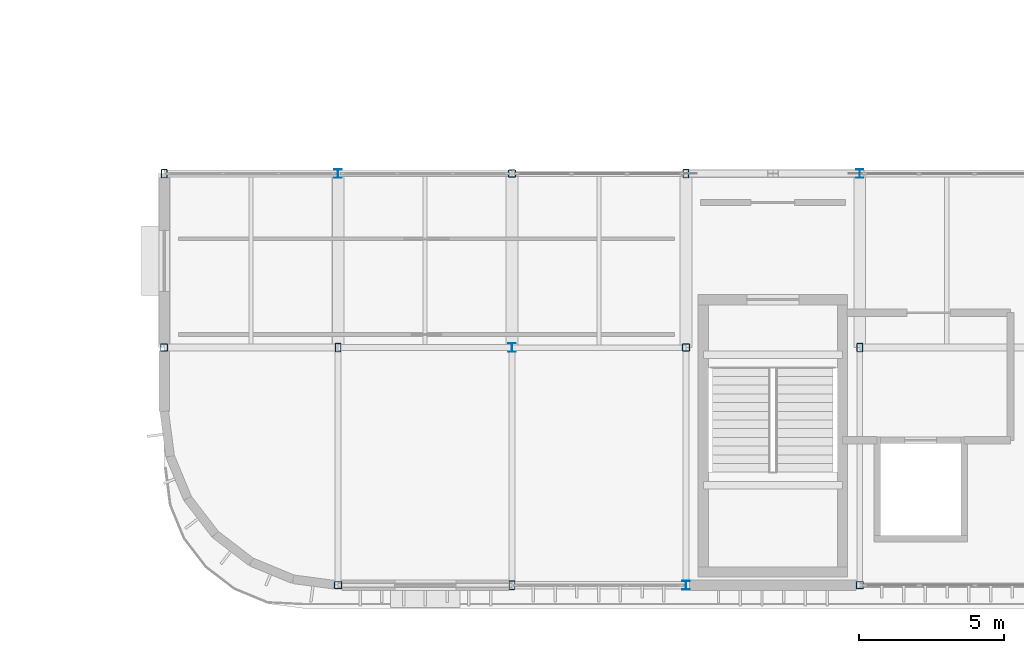
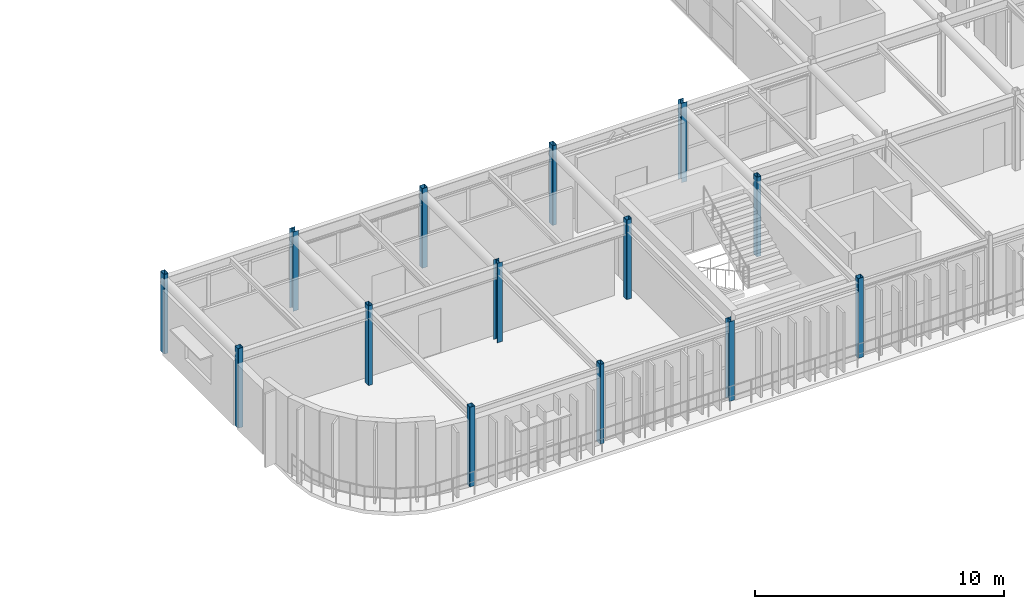
# One storey, part 1 of 27: 14 columns.
"""IFC4 building model written with IfcOpenShell, lengths in metres."""

import ifcopenshell
import ifcopenshell.guid

model = None  # the IFC model being written
_history = None  # IfcOwnerHistory: only IFC2X3 demands one
_inside = {}  # id of a spatial element -> (the spatial element, [elements in it])
_under = {}  # id of a project, library or spatial element -> (it, [spatial elements below it])
_declared = {}  # id of a project -> (the project, [libraries it declares])
_typed = {}  # id of a type object -> (the type object, [elements of that type])
_made_of = {}  # id of a material, layer set ... -> (it, [elements and type objects made of it])


def new_model(schema):
    """Start an empty IFC model of exactly this schema.

    Asked for "IFC4X3", IfcOpenShell would pick the latest addendum, in which some entities
    have other attributes; the version numbers below select the first issue.
    IFC2X3 requires an IfcOwnerHistory on every rooted entity: one is made here for all.
    """
    global model, _history
    if schema == "IFC4X3":
        model = ifcopenshell.file(schema_version=(4, 3, 0, 0))
    else:
        model = ifcopenshell.file(schema=schema)
    _inside.clear()
    _under.clear()
    _declared.clear()
    _typed.clear()
    _made_of.clear()
    _history = None
    if model.schema == "IFC2X3":
        org = make("IfcOrganization", Name="unknown")
        user = make(
            "IfcPersonAndOrganization",
            ThePerson=make("IfcPerson", FamilyName="unknown"),
            TheOrganization=org,
        )
        app = make(
            "IfcApplication",
            ApplicationDeveloper=org,
            Version="unknown",
            ApplicationFullName="unknown",
            ApplicationIdentifier="unknown",
        )
        _history = make(
            "IfcOwnerHistory",
            OwningUser=user,
            OwningApplication=app,
            ChangeAction="ADDED",
            CreationDate=0,
        )
    return model


def make(cls, **values):
    """One entity of the class cls with the attributes given. An attribute that is None is left unset."""
    return model.create_entity(
        cls, **{name: value for name, value in values.items() if value is not None}
    )


def rooted(cls, **values):
    """An entity with a GlobalId (a new one), such as an element, a storey or a relation."""
    return make(cls, GlobalId=ifcopenshell.guid.new(), OwnerHistory=_history, **values)


def si_unit(unit_type, name, prefix=None):
    """IfcSIUnit, for example si_unit("LENGTHUNIT", "METRE", prefix="MILLI")."""
    return make("IfcSIUnit", UnitType=unit_type, Prefix=prefix, Name=name)


def assignment(units):
    """IfcUnitAssignment: the units of a project."""
    return None if units is None else make("IfcUnitAssignment", Units=units)


def point(xyz):
    """IfcCartesianPoint."""
    return None if xyz is None else make("IfcCartesianPoint", Coordinates=xyz)


def direction(xyz):
    """IfcDirection."""
    return None if xyz is None else make("IfcDirection", DirectionRatios=xyz)


def frame(location, z_axis=None, x_axis=None):
    """IfcAxis2Placement3D, a coordinate frame: its origin and axes. An axis left out is left unset."""
    return make(
        "IfcAxis2Placement3D",
        Location=point(location),
        Axis=direction(z_axis),
        RefDirection=direction(x_axis),
    )


def frame_2d(location, x_axis=None):
    """IfcAxis2Placement2D, a coordinate frame in the plane: its origin and x axis."""
    return make(
        "IfcAxis2Placement2D", Location=point(location), RefDirection=direction(x_axis)
    )


def origin():
    """The frame at (0, 0, 0) with its axes left unset."""
    return frame((0.0, 0.0, 0.0))


def origin_2d():
    """The frame at (0, 0) in the plane with its x axis left unset."""
    return frame_2d((0.0, 0.0))


def place(relative_to, where):
    """IfcLocalPlacement: puts the frame where relative to a parent placement (None: the world)."""
    return make(
        "IfcLocalPlacement", PlacementRelTo=relative_to, RelativePlacement=where
    )


def context(
    kind, dimensions, precision=None, world=None, true_north=None, identifier=None
):
    """IfcGeometricRepresentationContext, for example the 3D "Model" context."""
    return make(
        "IfcGeometricRepresentationContext",
        ContextIdentifier=identifier,
        ContextType=kind,
        CoordinateSpaceDimension=dimensions,
        Precision=precision,
        WorldCoordinateSystem=world,
        TrueNorth=true_north,
    )


def subcontext(parent, identifier, kind, view, scale=None):
    """IfcGeometricRepresentationSubContext, for example "Body" below "Model"."""
    return make(
        "IfcGeometricRepresentationSubContext",
        ContextIdentifier=identifier,
        ContextType=kind,
        ParentContext=parent,
        TargetScale=scale,
        TargetView=view,
    )


def project(units=None, contexts=None):
    """IfcProject with its units and contexts."""
    return rooted(
        "IfcProject",
        Name="project",
        RepresentationContexts=contexts,
        UnitsInContext=assignment(units),
    )


def spatial(cls, under=None, at=None, **own):
    """A site, building, storey or space (cls), placed at a placement, below another one or the project."""
    s = rooted(cls, ObjectPlacement=at, **own)
    if under is not None:
        _under.setdefault(under.id(), (under, []))[1].append(s)
    return s


def profile(cls, at=None, kind="AREA", **sizes):
    """A parametric profile (cls). Its sizes go by their IFC names, for example OverallWidth=200.0."""
    return make(cls, ProfileType=kind, Position=at, **sizes)


def hollow_rectangle(**sizes):
    """IfcRectangleHollowProfileDef."""
    return profile("IfcRectangleHollowProfileDef", **sizes)


def i_section(**sizes):
    """IfcIShapeProfileDef."""
    return profile("IfcIShapeProfileDef", **sizes)


def extrude(swept, where, along, depth):
    """IfcExtrudedAreaSolid: the profile swept, set in the frame where, extruded along a direction by depth."""
    return make(
        "IfcExtrudedAreaSolid",
        SweptArea=swept,
        Position=where,
        ExtrudedDirection=direction(along),
        Depth=depth,
    )


def shape(context_of_items, identifier, shape_type, items):
    """IfcShapeRepresentation: the items that make up one representation, for example the "Body"."""
    return make(
        "IfcShapeRepresentation",
        ContextOfItems=context_of_items,
        RepresentationIdentifier=identifier,
        RepresentationType=shape_type,
        Items=items,
    )


def material(Name=None, Category=None):
    """IfcMaterial."""
    return make("IfcMaterial", Name=Name, Category=Category)


def material_profile(
    of_material, cross_section, Name=None, Category=None, Priority=None
):
    """IfcMaterialProfile: a cross section and its material."""
    return make(
        "IfcMaterialProfile",
        Name=Name,
        Material=of_material,
        Profile=cross_section,
        Priority=Priority,
        Category=Category,
    )


def profile_set(profiles, Name=None, composite=None):
    """IfcMaterialProfileSet."""
    return make(
        "IfcMaterialProfileSet",
        Name=Name,
        MaterialProfiles=profiles,
        CompositeProfile=composite,
    )


def made_of(thing, what):
    """Note that an element or type object is made of a material, layer set ...; save() writes the relation."""
    if what is not None:
        _made_of.setdefault(what.id(), (what, []))[1].append(thing)
    return thing


def type_object(cls, material=None, **own):
    """A type object (cls), such as IfcWallType, which elements share."""
    return made_of(rooted(cls, **own), material)


def element(
    cls,
    number,
    at=None,
    inside=None,
    cuts=None,
    type_object=None,
    material=None,
    context=None,
    identifier="Body",
    shape_type=None,
    held_by="IfcProductDefinitionShape",
    body=None,
    shapes=None,
    **own,
):
    """One element of the class cls, such as IfcWall. Its Tag is "e" and its number.

    at: its placement. inside: the storey or other place that contains it. cuts: it is an
    opening in that element (IfcRelVoidsElement). A single representation is given by context,
    identifier, shape_type and body (its items); several are given by shapes. held_by: the class
    of the entity that holds the representations. save() writes the other relations.
    """
    e = rooted(cls, Tag="e%d" % number, ObjectPlacement=at, **own)
    if body is not None:
        shapes = [shape(context, identifier, shape_type, body)]
    if shapes is not None:
        e.Representation = make(held_by, Representations=shapes)
    if inside is not None:
        _inside.setdefault(inside.id(), (inside, []))[1].append(e)
    if cuts is not None:
        rooted(
            "IfcRelVoidsElement", RelatingBuildingElement=cuts, RelatedOpeningElement=e
        )
    if type_object is not None:
        _typed.setdefault(type_object.id(), (type_object, []))[1].append(e)
    return made_of(e, material)


def aggregate(whole, parts):
    """IfcRelAggregates: a whole, such as a stair, and the parts it consists of."""
    return rooted("IfcRelAggregates", RelatingObject=whole, RelatedObjects=parts)


def save(model, path):
    """Write the relations noted so far, then the file.

    IfcRelAggregates (storeys below a building ...), IfcRelContainedInSpatialStructure (elements
    in a storey), IfcRelDefinesByType, IfcRelAssociatesMaterial and IfcRelDeclares: one each for
    every whole, place, type object, material and project.
    """
    for whole, parts in _under.values():
        aggregate(whole, parts)
    for where, things in _inside.values():
        rooted(
            "IfcRelContainedInSpatialStructure",
            RelatedElements=things,
            RelatingStructure=where,
        )
    for kind, things in _typed.values():
        rooted("IfcRelDefinesByType", RelatedObjects=things, RelatingType=kind)
    for what, things in _made_of.values():
        rooted("IfcRelAssociatesMaterial", RelatedObjects=things, RelatingMaterial=what)
    for by, libraries in _declared.values():
        rooted("IfcRelDeclares", RelatingContext=by, RelatedDefinitions=libraries)
    model.write(path)


model = new_model("IFC4")

# Units and contexts
model_context = context("Model", 3, precision=1e-05, world=origin(), true_north=direction((0.0, 1.0)))
body_context = subcontext(model_context, "Body", "Model", "MODEL_VIEW")
ifc_project = project(units=[si_unit("LENGTHUNIT", "METRE"), si_unit("AREAUNIT", "SQUARE_METRE"), si_unit("VOLUMEUNIT", "CUBIC_METRE"), si_unit("PLANEANGLEUNIT", "RADIAN"), si_unit("MASSUNIT", "GRAM", prefix="KILO")], contexts=[model_context])

# Site, building, storey
site_placement = place(None, origin())
site = spatial("IfcSite", under=ifc_project, at=site_placement, CompositionType="ELEMENT")
building_placement = place(site_placement, origin())
building = spatial("IfcBuilding", under=site, at=building_placement, Name="Varnakota Square Police Headquarters", CompositionType="ELEMENT")
storey_placement = place(building_placement, frame((0.0, 0.0, 26.10009765625)))
storey = spatial("IfcBuildingStorey", under=building, at=storey_placement, Name="L06", CompositionType="ELEMENT", Elevation=26.10009765625)

# Columns
ifc_material = material(Name="Steel IS 2062 Grade 350", Category="steel")
ifc_material_profile_1 = material_profile(ifc_material, i_section(OverallWidth=0.25, OverallDepth=0.300048828125, WebThickness=0.009521484375, FlangeThickness=0.010498046875, FilletRadius=0.011962890625, at=origin_2d()), Name="ISHB 300")
ifc_profile_set_1 = profile_set([ifc_material_profile_1], Name="Steel IS 2062 Grade 350")
column_type_1 = type_object("IfcColumnType", Name="COL-ISHB300", PredefinedType="COLUMN", material=ifc_profile_set_1)
for number, where, z_axis, x_axis, name in (
    (1, (114.0, 15.0, 0.0), (0.0, 0.0, 1.0), (1.0, 0.0, 0.0), "Column X1140-Y0150 L06"),
    (2, (120.0, 9.0, 0.0), (0.0, 0.0, 1.0), (1.0, 0.0, 0.0), "Column X1200-Y0090 L06"),
    (3, (126.0, 0.800048828125, 0.0), (0.0, 0.0, 1.0), (1.0, 0.0, 0.0), "Column X1260-Y0008 L06"),
    (4, (132.0, 15.0, 0.0), (0.0, 0.0, 1.0), (1.0, 0.0, 0.0), "Column X1320-Y0150 L06"),
):
    element("IfcColumn", number, at=place(storey_placement, frame(where, z_axis=z_axis, x_axis=x_axis)), inside=storey, type_object=column_type_1, Name=name, PredefinedType="COLUMN", context=body_context, shape_type="SweptSolid", body=[
        extrude(i_section(OverallWidth=0.25, OverallDepth=0.300048828125, WebThickness=0.009521484375, FlangeThickness=0.010498046875, FilletRadius=0.011962890625, at=origin_2d()), origin(), (0.0, 0.0, 1.0), 3.89990234375),
    ])
ifc_material_profile_2 = material_profile(ifc_material, hollow_rectangle(XDim=0.199951171875, YDim=0.300048828125, WallThickness=0.011962890625, InnerFilletRadius=0.011962890625, OuterFilletRadius=0.02392578125, at=origin_2d()), Name="RHS 300x200x12")
ifc_profile_set_2 = profile_set([ifc_material_profile_2], Name="Steel IS 2062 Grade 350")
column_type_2 = type_object("IfcColumnType", Name="COL-RHS300", PredefinedType="COLUMN", material=ifc_profile_set_2)
for number, where, z_axis, x_axis, name in (
    (5, (108.0, 15.0, 0.0), (0.0, 0.0, 1.0), (1.0, 0.0, 0.0), "Column X1080-Y0150 L06"),
    (6, (114.0, 9.0, 0.0), (0.0, 0.0, 1.0), (1.0, 0.0, 0.0), "Column X1140-Y0090 L06"),
    (7, (120.0, 0.800048828125, 0.0), (0.0, 0.0, 1.0), (1.0, 0.0, 0.0), "Column X1200-Y0008 L06"),
    (8, (126.0, 15.0, 0.0), (0.0, 0.0, 1.0), (1.0, 0.0, 0.0), "Column X1260-Y0150 L06"),
    (9, (132.0, 9.0, 0.0), (0.0, 0.0, 1.0), (1.0, 0.0, 0.0), "Column X1320-Y0090 L06"),
):
    element("IfcColumn", number, at=place(storey_placement, frame(where, z_axis=z_axis, x_axis=x_axis)), inside=storey, type_object=column_type_2, Name=name, PredefinedType="COLUMN", context=body_context, shape_type="SweptSolid", body=[
        extrude(hollow_rectangle(XDim=0.199951171875, YDim=0.300048828125, WallThickness=0.011962890625, InnerFilletRadius=0.011962890625, OuterFilletRadius=0.02392578125, at=origin_2d()), origin(), (0.0, 0.0, 1.0), 3.89990234375),
    ])
ifc_material_profile_3 = material_profile(ifc_material, hollow_rectangle(XDim=0.25, YDim=0.25, WallThickness=0.011962890625, InnerFilletRadius=0.011962890625, OuterFilletRadius=0.02392578125, at=origin_2d()), Name="SHS 250x250x12")
ifc_profile_set_3 = profile_set([ifc_material_profile_3], Name="Steel IS 2062 Grade 350")
column_type_3 = type_object("IfcColumnType", Name="COL-SHS250", PredefinedType="COLUMN", material=ifc_profile_set_3)
for number, where, z_axis, x_axis, name in (
    (10, (108.0, 9.0, 0.0), (0.0, 0.0, 1.0), (1.0, 0.0, 0.0), "Column X1080-Y0090 L06"),
    (11, (114.0, 0.800048828125, 0.0), (0.0, 0.0, 1.0), (1.0, 0.0, 0.0), "Column X1140-Y0008 L06"),
    (12, (120.0, 15.0, 0.0), (0.0, 0.0, 1.0), (1.0, 0.0, 0.0), "Column X1200-Y0150 L06"),
    (13, (126.0, 9.0, 0.0), (0.0, 0.0, 1.0), (1.0, 0.0, 0.0), "Column X1260-Y0090 L06"),
    (14, (132.0, 0.800048828125, 0.0), (0.0, 0.0, 1.0), (1.0, 0.0, 0.0), "Column X1320-Y0008 L06"),
):
    element("IfcColumn", number, at=place(storey_placement, frame(where, z_axis=z_axis, x_axis=x_axis)), inside=storey, type_object=column_type_3, Name=name, PredefinedType="COLUMN", context=body_context, shape_type="SweptSolid", body=[
        extrude(hollow_rectangle(XDim=0.25, YDim=0.25, WallThickness=0.011962890625, InnerFilletRadius=0.011962890625, OuterFilletRadius=0.02392578125, at=origin_2d()), origin(), (0.0, 0.0, 1.0), 3.89990234375),
    ])

save(model, "model.ifc")
